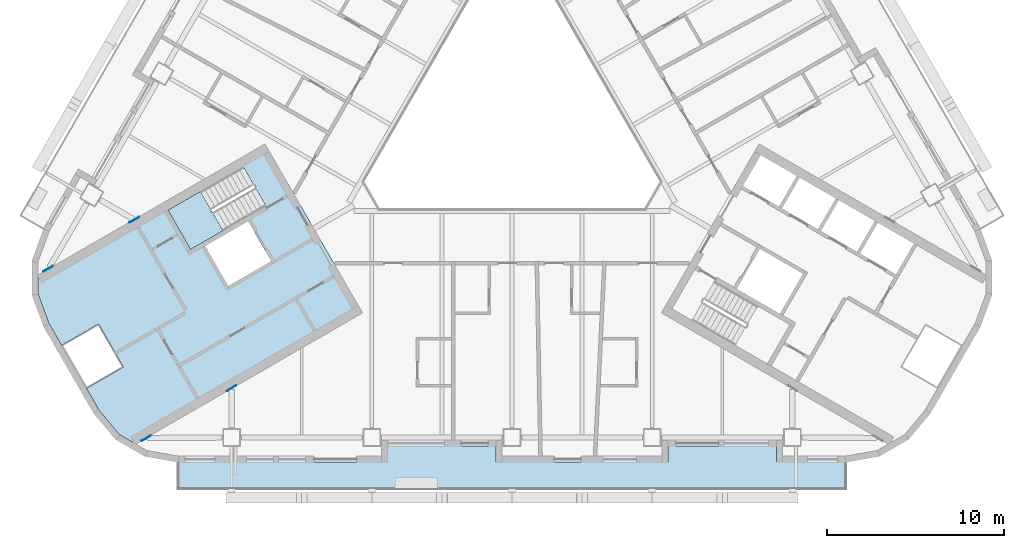
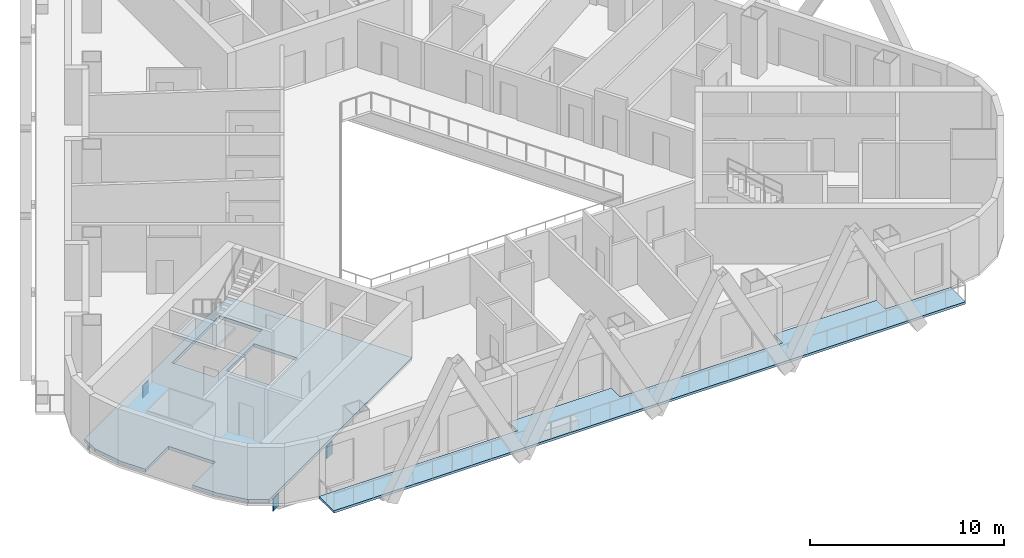
# One storey, part 2 of 17: 4 plates, 3 slabs, 1 element without a shape of its own.
"""IFC4 building model written with IfcOpenShell, lengths in metres."""

from ifc_helpers import new_model, si_unit, direction, frame, origin, origin_2d, place, context, subcontext, project, spatial, polyline, rectangle, outline, extrude, material, layer, layer_set, type_object, element, aggregate, save


model = new_model("IFC4")

# Units and contexts
model_context = context("Model", 3, precision=1e-05, world=origin(), true_north=direction((0.0, 1.0)))
body_context = subcontext(model_context, "Body", "Model", "MODEL_VIEW")
ifc_project = project(units=[si_unit("LENGTHUNIT", "METRE"), si_unit("AREAUNIT", "SQUARE_METRE"), si_unit("VOLUMEUNIT", "CUBIC_METRE"), si_unit("PLANEANGLEUNIT", "RADIAN"), si_unit("MASSUNIT", "GRAM", prefix="KILO")], contexts=[model_context])

# Site, building, storey
site_placement = place(None, origin())
site = spatial("IfcSite", under=ifc_project, at=site_placement, CompositionType="ELEMENT")
building_placement = place(site_placement, origin())
building = spatial("IfcBuilding", under=site, at=building_placement, Name="Apuvela Tower Hotel", CompositionType="ELEMENT")
storey_placement = place(building_placement, frame((0.0, 0.0, 46.5)))
storey = spatial("IfcBuildingStorey", under=building, at=storey_placement, Name="L08", CompositionType="ELEMENT", Elevation=46.5)

# Slab
ifc_material_1 = material(Name="Concrete C50/60", Category="concrete")
ifc_layer_1 = layer(ifc_material_1, 0.199951171875)
ifc_layer_set_1 = layer_set([ifc_layer_1], Name="COR-FLOOR-200")
slab_type_1 = type_object("IfcSlabType", Name="COR-FLOOR-200", PredefinedType="FLOOR", material=ifc_layer_set_1)
slab_1_placement = place(storey_placement, frame((0.0, 0.0, -0.199951171875)))
element("IfcSlab", 1, at=slab_1_placement, inside=storey, type_object=slab_type_1, Name="Core floor SW", PredefinedType="FLOOR", context=body_context, shape_type="SweptSolid", body=[
    extrude(outline(polyline([(-26.711181640625, -9.07080078125), (-26.711181640625, -10.123291015625), (-26.109375, -11.77734375), (-25.381591796875, -13.03759765625), (-23.30322265625, -11.837646484375), (-21.9033203125, -14.262451171875), (-23.981689453125, -15.46240234375), (-23.254150390625, -16.72265625), (-22.122802734375, -18.071044921875), (-21.211181640625, -18.59716796875), (-8.421630859375, -11.213134765625), (-13.921630859375, -1.68701171875), (-26.711181640625, -9.07080078125)]), holes=[polyline([(-13.874267578125, -5.18115234375), (-18.112548828125, -7.628173828125), (-19.387451171875, -5.419921875), (-15.149169921875, -2.972900390625), (-13.874267578125, -5.18115234375)]), polyline([(-13.56982421875, -8.29638671875), (-15.99462890625, -9.6962890625), (-17.294677734375, -7.444580078125), (-14.869873046875, -6.044677734375), (-13.56982421875, -8.29638671875)])]), origin(), (0.0, 0.0, 1.0), 0.199951171875),
])

# Stair, slab
stair_type = type_object("IfcStairType", Name="COR-STAIR-22R", PredefinedType="HALF_TURN_STAIR", material=ifc_material_1)
stair_placement = place(storey_placement, origin())
stair = element("IfcStair", 2, at=stair_placement, inside=storey, type_object=stair_type, Name="L08 Exit stair ST2", PredefinedType="HALF_TURN_STAIR")
ifc_layer_2 = layer(ifc_material_1, 0.199951171875)
ifc_layer_set_2 = layer_set([ifc_layer_2], Name="COR-LANDING-200")
slab_type_2 = type_object("IfcSlabType", Name="COR-LANDING-200", PredefinedType="LANDING", material=ifc_layer_set_2)
slab_2_placement = place(storey_placement, frame((0.0, 0.0, 1.64990234375)))
slab_2 = element("IfcSlab", 3, at=slab_2_placement, type_object=slab_type_2, Name="ST2 landing 1", PredefinedType="LANDING", context=body_context, shape_type="SweptSolid", body=[
    extrude(outline(polyline([(-17.563720703125, -4.366943359375), (-19.387451171875, -5.419921875), (-18.112548828125, -7.628173828125), (-16.28857421875, -6.5751953125), (-17.563720703125, -4.366943359375)])), origin(), (0.0, 0.0, 1.0), 0.2001953125),
])
aggregate(stair, [slab_2])

# Slab
ifc_material_2 = material(Name="Concrete C40/50, fair-faced", Category="concrete")
ifc_layer_3 = layer(ifc_material_2, 0.14990234375)
ifc_layer_set_3 = layer_set([ifc_layer_3], Name="ENV-BALCONY-150")
slab_type_3 = type_object("IfcSlabType", Name="ENV-BALCONY-150", PredefinedType="FLOOR", material=ifc_layer_set_3)
slab_3_placement = place(storey_placement, frame((0.0, 0.0, -0.14990234375)))
element("IfcSlab", 4, at=slab_3_placement, inside=storey, type_object=slab_type_3, Name="Balcony slab S L08", PredefinedType="FLOOR", context=body_context, shape_type="SweptSolid", body=[
    extrude(outline(polyline([(18.82080078125, -21.135009765625), (-18.82080078125, -21.135009765625), (-18.82080078125, -19.625), (-7.0048828125, -19.625), (-7.0048828125, -18.72509765625), (-0.89501953125, -18.72509765625), (-0.89501953125, -19.625), (8.794921875, -19.625), (8.794921875, -18.72509765625), (14.905029296875, -18.72509765625), (14.905029296875, -19.625), (18.82080078125, -19.625), (18.82080078125, -21.135009765625)])), origin(), (0.0, 0.0, 1.0), 0.14990234375),
])

# Plates
ifc_material_3 = material(Name="Steel S355", Category="steel")
ifc_layer_4 = layer(ifc_material_3, 0.0400390625)
ifc_layer_set_4 = layer_set([ifc_layer_4], Name="STR-CP 40 Steel S355")
plate_type = type_object("IfcPlateType", Name="STR-CP 40 Steel S355", PredefinedType="SHEET", material=ifc_layer_set_4)
for number, where, z_axis, x_axis, name in (
    (5, (-20.622802734375, -18.280517578125, -0.95703125), (0.0, 0.0, 1.0), (0.5, -0.866025403784, 0.0), "Cast-in plate CP-T0-13 40"),
    (6, (-26.142578125, -8.719482421875, -0.95703125), (0.0, 0.0, 1.0), (-0.5, 0.866025403784, 0.0), "Cast-in plate CP-T0-18 40"),
    (7, (-21.2900390625, -5.964111328125, -1.05419921875), (0.0, 0.0, 1.0), (0.5, -0.866025403784, 0.0), "Cast-in plate CP-T0-22 40"),
    (8, (-15.81005859375, -15.455810546875, -1.05419921875), (0.0, 0.0, 1.0), (-0.5, 0.866025403784, 0.0), "Cast-in plate CP-T0-23 40"),
):
    element("IfcPlate", number, at=place(storey_placement, frame(where, z_axis=z_axis, x_axis=x_axis)), inside=storey, type_object=plate_type, Name=name, PredefinedType="SHEET", context=body_context, shape_type="SweptSolid", body=[
        extrude(rectangle(XDim=0.0400390625, YDim=0.60009765625, at=origin_2d()), origin(), (0.0, 0.0, 1.0), 0.800048828125),
    ])

save(model, "model.ifc")
